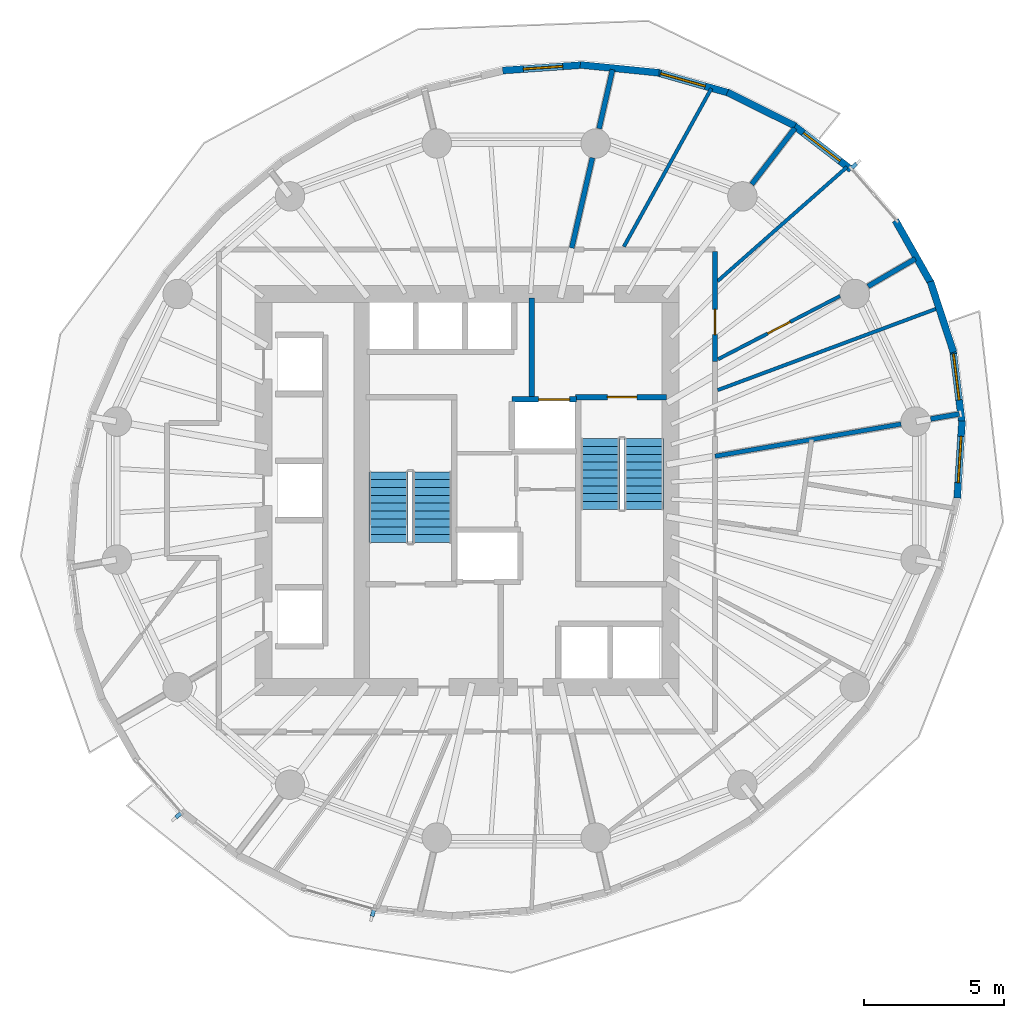
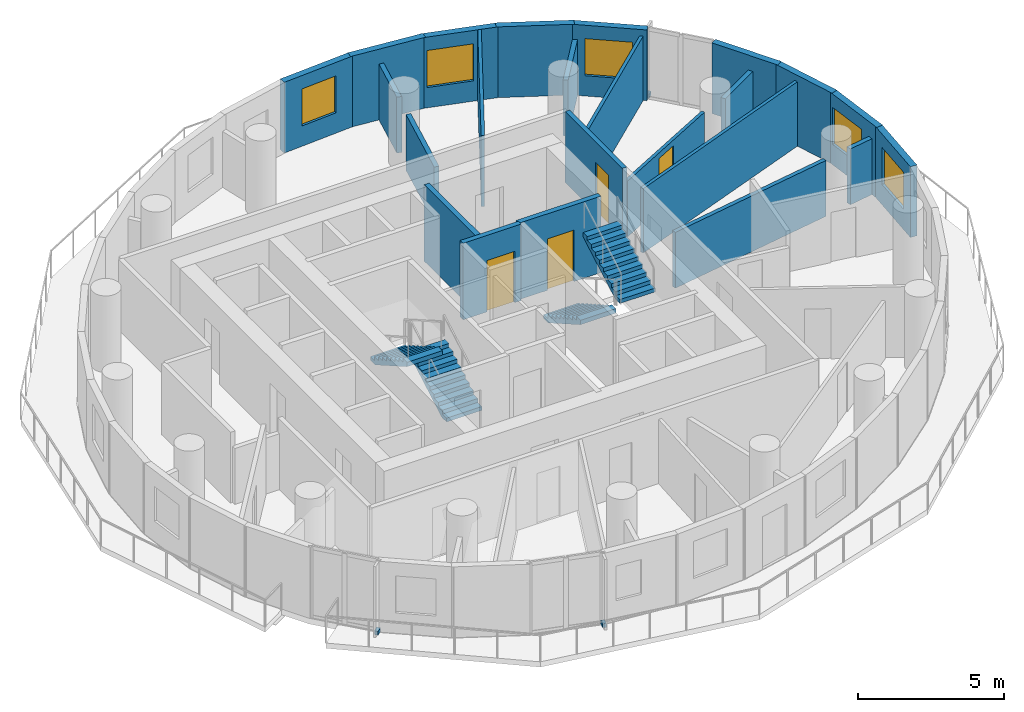
# One storey, part 7 of 12: 23 walls, 5 windows, 4 doors, 4 stair flights, 3 discrete accessories, 9 openings, 2 elements without a shape of their own.
"""IFC4 building model written with IfcOpenShell, lengths in metres."""

from ifc_helpers import new_model, si_unit, direction, frame, frame_2d, origin, origin_2d, place, context, subcontext, project, spatial, polyline, rectangle, outline, extrude, material, layer, layer_set, type_object, element, fill, aggregate, save


model = new_model("IFC4")

# Units and contexts
model_context = context("Model", 3, precision=1e-05, world=origin(), true_north=direction((0.0, 1.0)))
body_context = subcontext(model_context, "Body", "Model", "MODEL_VIEW")
ifc_project = project(units=[si_unit("LENGTHUNIT", "METRE"), si_unit("AREAUNIT", "SQUARE_METRE"), si_unit("VOLUMEUNIT", "CUBIC_METRE"), si_unit("PLANEANGLEUNIT", "RADIAN"), si_unit("MASSUNIT", "GRAM", prefix="KILO")], contexts=[model_context])

# Site, building, storey
site_placement = place(None, origin())
site = spatial("IfcSite", under=ifc_project, at=site_placement, CompositionType="ELEMENT")
building_placement = place(site_placement, origin())
building = spatial("IfcBuilding", under=site, at=building_placement, Name="Veldorim Arch Residences", CompositionType="ELEMENT")
storey_placement = place(building_placement, frame((0.0, 0.0, 145.760009765625)))
storey = spatial("IfcBuildingStorey", under=building, at=storey_placement, Name="L43", CompositionType="ELEMENT", Elevation=145.760009765625)

# Walls
ifc_material_1 = material(Name="Acoustic Gypsum Board", Category="gypsum")
ifc_layer_1 = layer(ifc_material_1, 0.125, Name="Acoustic Stud Room Partition Wall 125")
ifc_layer_set_1 = layer_set([ifc_layer_1], Name="Acoustic Gypsum Board")
wall_type_1 = type_object("IfcWallType", Name="Acoustic Stud Room Partition Wall 125", PredefinedType="PARTITIONING", material=ifc_layer_set_1)
wall_1_placement = place(storey_placement, frame((38.951171875, 38.322509765625, 0.0), z_axis=(0.0, 0.0, 1.0), x_axis=(-0.484039777335, -0.875045995338, 0.0)))
element("IfcWall", 1, at=wall_1_placement, inside=storey, type_object=wall_type_1, Name="L43 interior wall WL-RES-L43-021", PredefinedType="PARTITIONING", context=body_context, shape_type="SweptSolid", body=[
    extrude(rectangle(XDim=6.4423828125, YDim=0.125, at=frame_2d((3.22119140625, 0.0))), origin(), (0.0, 0.0, 1.0), 2.955078125),
])
wall_2_placement = place(storey_placement, frame((43.78271484375, 35.5244140625, 0.0), z_axis=(0.0, 0.0, 1.0), x_axis=(-0.750018545151, -0.661416798947, 0.0)))
element("IfcWall", 2, at=wall_2_placement, inside=storey, type_object=wall_type_1, Name="L43 interior wall WL-RES-L43-023", PredefinedType="PARTITIONING", context=body_context, shape_type="SweptSolid", body=[
    extrude(rectangle(XDim=6.150146484375, YDim=0.125, at=frame_2d((3.0751953125, 0.0))), origin(), (0.0, 0.0, 1.0), 2.69189453125),
])

# Wall, opening, door
wall_3_placement = place(storey_placement, frame((43.531494140625, 30.927001953125, 0.0), z_axis=(0.0, 0.0, 1.0), x_axis=(-0.888041341995, -0.459763607638, 0.0)))
wall_3 = element("IfcWall", 3, at=wall_3_placement, inside=storey, type_object=wall_type_1, Name="L43 interior wall WL-RES-L43-024", PredefinedType="PARTITIONING", context=body_context, shape_type="SweptSolid", body=[
    extrude(rectangle(XDim=4.892822265625, YDim=0.125, at=frame_2d((2.4462890625, 0.0))), origin(), (0.0, 0.0, 1.0), 2.335693359375),
])
opening_1_placement = place(wall_3_placement, frame((1.996337890625, 0.0, 0.0)))
opening_1 = element("IfcOpeningElement", 4, at=opening_1_placement, cuts=wall_3, Name="Opening DR-INT", PredefinedType="OPENING", context=body_context, shape_type="SweptSolid", body=[
    extrude(rectangle(XDim=0.89990234375, YDim=2.10009765625, at=frame_2d((0.449951171875, 1.050048828125))), frame((0.0, 0.072509765625, 0.0), z_axis=(0.0, -1.0, 0.0), x_axis=(1.0, 0.0, 0.0)), (0.0, 0.0, 1.0), 0.14501953125),
])
ifc_material_2 = material(Name="Engineered Timber", Category="wood")
door_type_1 = type_object("IfcDoorType", Name="Apartment Internal Room Timber Door 900x2100", OperationType="SINGLE_SWING_LEFT", PredefinedType="DOOR", material=ifc_material_2)
door_1_placement = place(opening_1_placement, origin())
door_1 = element("IfcDoor", 5, at=door_1_placement, inside=storey, type_object=door_type_1, Name="L43 interior door DR-RES-L43-014", OperationType="SINGLE_SWING_RIGHT", OverallHeight=2.10009765625, OverallWidth=0.89990234375, PredefinedType="DOOR", context=body_context, shape_type="SweptSolid", body=[
    extrude(rectangle(XDim=0.89990234375, YDim=2.10009765625, at=frame_2d((0.449951171875, 1.050048828125))), frame((0.0, 0.02490234375, 0.0), z_axis=(0.0, -1.0, 0.0), x_axis=(1.0, 0.0, 0.0)), (0.0, 0.0, 1.0), 0.050048828125),
])
fill(opening_1, door_1)

# Walls
wall_4_placement = place(storey_placement, frame((39.173583984375, 27.57666015625, 0.0), z_axis=(0.0, 0.0, 1.0), x_axis=(0.9372070401, 0.348773513883, 0.0)))
element("IfcWall", 6, at=wall_4_placement, inside=storey, type_object=wall_type_1, Name="L43 interior wall WL-RES-L43-025", PredefinedType="PARTITIONING", context=body_context, shape_type="SweptSolid", body=[
    extrude(rectangle(XDim=8.39501953125, YDim=0.125, at=frame_2d((4.197509765625, 0.0))), origin(), (0.0, 0.0, 1.0), 2.69189453125),
])
ifc_material_3 = material(Name="Lightweight Masonry Block & Gypsum", Category="masonry")
ifc_layer_2 = layer(ifc_material_3, 0.179931640625, Name="Compartment & Corridor Fire-Rated Party Wall 180")
ifc_layer_set_2 = layer_set([ifc_layer_2], Name="Lightweight Masonry Block & Gypsum")
wall_type_2 = type_object("IfcWallType", Name="Compartment & Corridor Fire-Rated Party Wall 180", PredefinedType="PARTITIONING", material=ifc_layer_set_2)
wall_5_placement = place(storey_placement, frame((46.75830078125, 26.55078125, 0.0), z_axis=(0.0, 0.0, 1.0), x_axis=(0.985390767806, 0.170308645474, 0.0)))
element("IfcWall", 7, at=wall_5_placement, inside=storey, type_object=wall_type_2, Name="L43 interior wall WL-PIER-L43-01", PredefinedType="PARTITIONING", context=body_context, shape_type="SweptSolid", body=[
    extrude(rectangle(XDim=1.037841796875, YDim=0.179931640625, at=frame_2d((0.51904296875, 0.0))), origin(), (0.0, 0.0, 1.0), 2.335693359375),
])
wall_6_placement = place(storey_placement, frame((44.527587890625, 31.27392578125, 0.0), z_axis=(0.0, 0.0, 1.0), x_axis=(0.864802971131, 0.502111363268, 0.0)))
element("IfcWall", 8, at=wall_6_placement, inside=storey, type_object=wall_type_2, Name="L43 interior wall WL-PIER-L43-02", PredefinedType="PARTITIONING", context=body_context, shape_type="SweptSolid", body=[
    extrude(rectangle(XDim=1.95068359375, YDim=0.179931640625, at=frame_2d((0.975341796875, 0.0))), origin(), (0.0, 0.0, 1.0), 2.335693359375),
])
wall_7_placement = place(storey_placement, frame((40.387939453125, 34.908447265625, 0.0), z_axis=(0.0, 0.0, 1.0), x_axis=(0.609556175004, 0.792742877303, 0.0)))
element("IfcWall", 9, at=wall_7_placement, inside=storey, type_object=wall_type_2, Name="L43 interior wall WL-PIER-L43-03", PredefinedType="PARTITIONING", context=body_context, shape_type="SweptSolid", body=[
    extrude(rectangle(XDim=2.518798828125, YDim=0.179931640625, at=frame_2d((1.25927734375, 0.0))), origin(), (0.0, 0.0, 1.0), 2.335693359375),
])
wall_8_placement = place(storey_placement, frame((34.950439453125, 36.88916015625, 0.0), z_axis=(0.0, 0.0, 1.0), x_axis=(0.223080127706, 0.974800111111, 0.0)))
element("IfcWall", 10, at=wall_8_placement, inside=storey, type_object=wall_type_2, Name="L43 interior wall WL-PIER-L43-04", PredefinedType="PARTITIONING", context=body_context, shape_type="SweptSolid", body=[
    extrude(rectangle(XDim=2.15478515625, YDim=0.179931640625, at=frame_2d((1.077392578125, 0.0))), origin(), (0.0, 0.0, 1.0), 2.335693359375),
])

# Wall, opening, door
wall_9_placement = place(storey_placement, frame((39.080078125, 32.52001953125, 0.0), z_axis=(0.0, 0.0, 1.0), x_axis=(0.0, -1.0, 0.0)))
wall_9 = element("IfcWall", 11, at=wall_9_placement, inside=storey, type_object=wall_type_2, Name="L43 interior wall WL-RES-L43-005", PredefinedType="PARTITIONING", context=body_context, shape_type="SweptSolid", body=[
    extrude(rectangle(XDim=3.917724609375, YDim=0.179931640625, at=frame_2d((1.958984375, 0.0))), origin(), (0.0, 0.0, 1.0), 2.955078125),
])
opening_2_placement = place(wall_9_placement, frame((2.06689453125, 0.0, 0.0)))
opening_2 = element("IfcOpeningElement", 12, at=opening_2_placement, cuts=wall_9, Name="Opening DR-SVC", PredefinedType="OPENING", context=body_context, shape_type="SweptSolid", body=[
    extrude(rectangle(XDim=0.89990234375, YDim=2.10009765625, at=frame_2d((0.449951171875, 1.050048828125))), frame((0.0, 0.099853515625, 0.0), z_axis=(0.0, -1.0, 0.0), x_axis=(1.0, 0.0, 0.0)), (0.0, 0.0, 1.0), 0.199951171875),
])
ifc_material_4 = material(Name="Fire-Rated Steel", Category="steel")
door_type_2 = type_object("IfcDoorType", Name="Riser, Shelter & Plant Room Rated Steel Door 900x2100", OperationType="SINGLE_SWING_LEFT", PredefinedType="DOOR", material=ifc_material_4)
door_2_placement = place(opening_2_placement, origin())
door_2 = element("IfcDoor", 13, at=door_2_placement, inside=storey, type_object=door_type_2, Name="L43 interior door DR-RES-L43-012", OperationType="SINGLE_SWING_RIGHT", OverallHeight=2.10009765625, OverallWidth=0.89990234375, PredefinedType="DOOR", context=body_context, shape_type="SweptSolid", body=[
    extrude(rectangle(XDim=0.89990234375, YDim=2.10009765625, at=frame_2d((0.449951171875, 1.050048828125))), frame((0.0, 0.02490234375, 0.0), z_axis=(0.0, -1.0, 0.0), x_axis=(1.0, 0.0, 0.0)), (0.0, 0.0, 1.0), 0.050048828125),
])
fill(opening_2, door_2)

# Wall
wall_10_placement = place(storey_placement, frame((33.977294921875, 32.638427734375, 0.0), z_axis=(0.0, 0.0, 1.0), x_axis=(0.22319287001, 0.974774303506, 0.0)))
element("IfcWall", 14, at=wall_10_placement, inside=storey, type_object=wall_type_2, Name="L43 interior wall WL-RES-L43-022", PredefinedType="PARTITIONING", context=body_context, shape_type="SweptSolid", body=[
    extrude(rectangle(XDim=3.2958984375, YDim=0.179931640625, at=frame_2d((1.64794921875, 0.0))), origin(), (0.0, 0.0, 1.0), 2.335693359375),
])

# Wall, opening, door
ifc_material_5 = material(Name="Concrete C50/60", Category="concrete")
ifc_layer_3 = layer(ifc_material_5, 0.199951171875, Name="Core Stair & Lift Shaft Enclosure Wall 200")
ifc_layer_set_3 = layer_set([ifc_layer_3], Name="Concrete C50/60")
wall_type_3 = type_object("IfcWallType", Name="Core Stair & Lift Shaft Enclosure Wall 200", PredefinedType="SHEAR", material=ifc_layer_set_3)
wall_11_placement = place(storey_placement, frame((34.110107421875, 27.330078125, 0.0), z_axis=(0.0, 0.0, 1.0), x_axis=(1.0, 0.0, 0.0)))
wall_11 = element("IfcWall", 15, at=wall_11_placement, inside=storey, type_object=wall_type_3, Name="L43 shaft wall WL-SHF-L43-ST2-N", PredefinedType="SHEAR", context=body_context, shape_type="SweptSolid", body=[
    extrude(rectangle(XDim=3.239990234375, YDim=0.199951171875, at=frame_2d((1.6201171875, 0.0))), origin(), (0.0, 0.0, 1.0), 3.199951171875),
])
opening_3_placement = place(wall_11_placement, frame((1.135009765625, 0.0, 0.0)))
opening_3 = element("IfcOpeningElement", 16, at=opening_3_placement, cuts=wall_11, Name="Opening DR-ST", PredefinedType="OPENING", context=body_context, shape_type="SweptSolid", body=[
    extrude(rectangle(XDim=1.050048828125, YDim=2.14990234375, at=frame_2d((0.52490234375, 1.074951171875))), frame((0.0, 0.10986328125, 0.0), z_axis=(0.0, -1.0, 0.0), x_axis=(1.0, 0.0, 0.0)), (0.0, 0.0, 1.0), 0.219970703125),
])
ifc_material_6 = material(Name="Fire-Rated Steel", Category="steel")
door_type_3 = type_object("IfcDoorType", Name="Exit Staircase Self-Closing Fire Door 1050x2150", OperationType="SINGLE_SWING_LEFT", PredefinedType="DOOR", material=ifc_material_6)
door_3_placement = place(opening_3_placement, origin())
door_3 = element("IfcDoor", 17, at=door_3_placement, inside=storey, type_object=door_type_3, Name="L43 interior door DR-L43-ST2", OperationType="SINGLE_SWING_RIGHT", OverallHeight=2.14990234375, OverallWidth=1.050048828125, PredefinedType="DOOR", context=body_context, shape_type="SweptSolid", body=[
    extrude(rectangle(XDim=1.050048828125, YDim=2.14990234375, at=frame_2d((0.52490234375, 1.074951171875))), frame((0.0, 0.02490234375, 0.0), z_axis=(0.0, -1.0, 0.0), x_axis=(1.0, 0.0, 0.0)), (0.0, 0.0, 1.0), 0.050048828125),
])
fill(opening_3, door_3)

# Wall
wall_12_placement = place(storey_placement, frame((32.550048828125, 27.35009765625, 0.0), z_axis=(0.0, 0.0, 1.0), x_axis=(0.0, 1.0, 0.0)))
element("IfcWall", 18, at=wall_12_placement, inside=storey, type_object=wall_type_3, Name="L43 shaft wall WL-FFL2-L43-W", PredefinedType="SHEAR", context=body_context, shape_type="SweptSolid", body=[
    extrude(rectangle(XDim=3.5, YDim=0.199951171875, at=frame_2d((1.75, 0.0))), origin(), (0.0, 0.0, 1.0), 3.199951171875),
])

# Wall, opening, door
wall_13_placement = place(storey_placement, frame((31.85009765625, 27.25, 0.0), z_axis=(0.0, 0.0, 1.0), x_axis=(1.0, 0.0, 0.0)))
wall_13 = element("IfcWall", 19, at=wall_13_placement, inside=storey, type_object=wall_type_3, Name="L43 shaft wall WL-FL02-L43-N", PredefinedType="SHEAR", context=body_context, shape_type="SweptSolid", body=[
    extrude(rectangle(XDim=2.2998046875, YDim=0.199951171875, at=frame_2d((1.14990234375, 0.0))), origin(), (0.0, 0.0, 1.0), 3.199951171875),
])
opening_4_placement = place(wall_13_placement, frame((0.949951171875, 0.0, 0.0)))
opening_4 = element("IfcOpeningElement", 20, at=opening_4_placement, cuts=wall_13, Name="Opening LD-FF", PredefinedType="OPENING", context=body_context, shape_type="SweptSolid", body=[
    extrude(rectangle(XDim=1.10009765625, YDim=2.14990234375, at=frame_2d((0.550048828125, 1.074951171875))), frame((0.0, 0.10986328125, 0.0), z_axis=(0.0, -1.0, 0.0), x_axis=(1.0, 0.0, 0.0)), (0.0, 0.0, 1.0), 0.219970703125),
])
ifc_material_7 = material(Name="Stainless Steel", Category="steel")
door_type_4 = type_object("IfcDoorType", Name="Firefighting Lift Bi-Parting Sliding Landing Door 1100x2150", OperationType="DOUBLE_DOOR_SLIDING", PredefinedType="DOOR", material=ifc_material_7)
door_4_placement = place(opening_4_placement, origin())
door_4 = element("IfcDoor", 21, at=door_4_placement, inside=storey, type_object=door_type_4, Name="L43 lift landing door LD-L43-FL02", OperationType="DOUBLE_DOOR_SLIDING", OverallHeight=2.14990234375, OverallWidth=1.10009765625, PredefinedType="DOOR", context=body_context, shape_type="SweptSolid", body=[
    extrude(rectangle(XDim=1.10009765625, YDim=2.14990234375, at=frame_2d((0.550048828125, 1.074951171875))), frame((0.0, 0.02490234375, 0.0), z_axis=(0.0, -1.0, 0.0), x_axis=(1.0, 0.0, 0.0)), (0.0, 0.0, 1.0), 0.050048828125),
])
fill(opening_4, door_4)

# Wall, opening, window
ifc_material_8 = material(Name="Precast concrete C40/50", Category="concrete")
ifc_layer_4 = layer(ifc_material_8, 0.25, Name="Tower Terracotta Spandrel & Pier Wall 250")
ifc_layer_set_4 = layer_set([ifc_layer_4], Name="Precast concrete C40/50")
wall_type_4 = type_object("IfcWallType", Name="Tower Terracotta Spandrel & Pier Wall 250", PredefinedType="SOLIDWALL", material=ifc_layer_set_4)
wall_14_placement = place(storey_placement, frame((41.83056640625, 37.046142578125, 0.0), z_axis=(0.0, 0.0, 1.0), x_axis=(0.7923805969, -0.610027040103, 0.0)))
wall_14 = element("IfcWall", 22, at=wall_14_placement, inside=storey, type_object=wall_type_4, Name="L43 terracotta facade wall 02", PredefinedType="SOLIDWALL", context=body_context, shape_type="SweptSolid", body=[
    extrude(rectangle(XDim=2.648193359375, YDim=0.25, at=frame_2d((1.32421875, 0.0))), origin(), (0.0, 0.0, 1.0), 2.9599609375),
])
opening_5_placement = place(wall_14_placement, frame((0.4990234375, 0.0, 0.85009765625)))
opening_5 = element("IfcOpeningElement", 23, at=opening_5_placement, cuts=wall_14, Name="Opening WN-03", PredefinedType="OPENING", context=body_context, shape_type="SweptSolid", body=[
    extrude(rectangle(XDim=1.64990234375, YDim=1.550048828125, at=frame_2d((0.824951171875, 0.77490234375))), frame((0.0, 0.135009765625, 0.0), z_axis=(0.0, -1.0, 0.0), x_axis=(1.0, 0.0, 0.0)), (0.0, 0.0, 1.0), 0.27001953125),
])
ifc_material_9 = material(Name="Laminated Low-E Glass", Category="glass")
window_type_1 = type_object("IfcWindowType", Name="Residential Wide Window 1650x1550", PartitioningType="SINGLE_PANEL", PredefinedType="WINDOW", material=ifc_material_9)
window_1_placement = place(opening_5_placement, origin())
window_1 = element("IfcWindow", 24, at=window_1_placement, inside=storey, type_object=window_type_1, Name="L43 solar-control facade window 02", OverallHeight=1.550048828125, OverallWidth=1.64990234375, PartitioningType="SINGLE_PANEL", PredefinedType="WINDOW", context=body_context, shape_type="SweptSolid", body=[
    extrude(rectangle(XDim=1.64990234375, YDim=1.550048828125, at=frame_2d((0.824951171875, 0.77490234375))), frame((0.0, 0.030029296875, 0.0), z_axis=(0.0, -1.0, 0.0), x_axis=(1.0, 0.0, 0.0)), (0.0, 0.0, 1.0), 0.06005859375),
])
fill(opening_5, window_1)

# Wall
wall_15_placement = place(storey_placement, frame((39.51708984375, 38.18798828125, 0.0), z_axis=(0.0, 0.0, 1.0), x_axis=(0.894843809708, -0.446379385979, 0.0)))
element("IfcWall", 25, at=wall_15_placement, inside=storey, type_object=wall_type_4, Name="L43 terracotta facade wall 03", PredefinedType="SOLIDWALL", context=body_context, shape_type="SweptSolid", body=[
    extrude(rectangle(XDim=2.693115234375, YDim=0.25, at=frame_2d((1.3466796875, 0.0))), origin(), (0.0, 0.0, 1.0), 2.9599609375),
])

# Wall, opening, window
wall_16_placement = place(storey_placement, frame((36.97509765625, 38.900146484375, 0.0), z_axis=(0.0, 0.0, 1.0), x_axis=(0.961851311091, -0.27357276062, 0.0)))
wall_16 = element("IfcWall", 26, at=wall_16_placement, inside=storey, type_object=wall_type_4, Name="L43 terracotta facade wall 04", PredefinedType="SOLIDWALL", context=body_context, shape_type="SweptSolid", body=[
    extrude(rectangle(XDim=2.752197265625, YDim=0.25, at=frame_2d((1.3759765625, 0.0))), origin(), (0.0, 0.0, 1.0), 2.9599609375),
])
opening_6_placement = place(wall_16_placement, frame((0.175048828125, 0.0, 0.85009765625)))
opening_6 = element("IfcOpeningElement", 27, at=opening_6_placement, cuts=wall_16, Name="Opening WN-03", PredefinedType="OPENING", context=body_context, shape_type="SweptSolid", body=[
    extrude(rectangle(XDim=1.64990234375, YDim=1.550048828125, at=frame_2d((0.824951171875, 0.77490234375))), frame((0.0, 0.135009765625, 0.0), z_axis=(0.0, -1.0, 0.0), x_axis=(1.0, 0.0, 0.0)), (0.0, 0.0, 1.0), 0.27001953125),
])
window_2_placement = place(opening_6_placement, origin())
window_2 = element("IfcWindow", 28, at=window_2_placement, inside=storey, type_object=window_type_1, Name="L43 solar-control facade window 04", OverallHeight=1.550048828125, OverallWidth=1.64990234375, PartitioningType="SINGLE_PANEL", PredefinedType="WINDOW", context=body_context, shape_type="SweptSolid", body=[
    extrude(rectangle(XDim=1.64990234375, YDim=1.550048828125, at=frame_2d((0.824951171875, 0.77490234375))), frame((0.0, 0.030029296875, 0.0), z_axis=(0.0, -1.0, 0.0), x_axis=(1.0, 0.0, 0.0)), (0.0, 0.0, 1.0), 0.06005859375),
])
fill(opening_6, window_2)

# Wall
wall_17_placement = place(storey_placement, frame((34.281494140625, 39.16015625, 0.0), z_axis=(0.0, 0.0, 1.0), x_axis=(0.995013999105, -0.099735357744, 0.0)))
element("IfcWall", 29, at=wall_17_placement, inside=storey, type_object=wall_type_4, Name="L43 terracotta facade wall 05", PredefinedType="SOLIDWALL", context=body_context, shape_type="SweptSolid", body=[
    extrude(rectangle(XDim=2.817626953125, YDim=0.25, at=frame_2d((1.40869140625, 0.0))), origin(), (0.0, 0.0, 1.0), 2.9599609375),
])

# Wall, opening, window
wall_18_placement = place(storey_placement, frame((31.517333984375, 38.960205078125, 0.0), z_axis=(0.0, 0.0, 1.0), x_axis=(0.997630729469, 0.068796276206, 0.0)))
wall_18 = element("IfcWall", 30, at=wall_18_placement, inside=storey, type_object=wall_type_4, Name="L43 terracotta facade wall 06", PredefinedType="SOLIDWALL", context=body_context, shape_type="SweptSolid", body=[
    extrude(rectangle(XDim=2.881591796875, YDim=0.25, at=frame_2d((1.44091796875, 0.0))), origin(), (0.0, 0.0, 1.0), 2.9599609375),
])
opening_7_placement = place(wall_18_placement, frame((0.740966796875, 0.0, 0.85009765625)))
opening_7 = element("IfcOpeningElement", 31, at=opening_7_placement, cuts=wall_18, Name="Opening WN-02", PredefinedType="OPENING", context=body_context, shape_type="SweptSolid", body=[
    extrude(rectangle(XDim=1.39990234375, YDim=1.550048828125, at=frame_2d((0.699951171875, 0.77490234375))), frame((0.0, 0.135009765625, 0.0), z_axis=(0.0, -1.0, 0.0), x_axis=(1.0, 0.0, 0.0)), (0.0, 0.0, 1.0), 0.27001953125),
])
ifc_material_10 = material(Name="Laminated Low-E Glass", Category="glass")
window_type_2 = type_object("IfcWindowType", Name="Residential Casement Window 1400x1550", PartitioningType="SINGLE_PANEL", PredefinedType="WINDOW", material=ifc_material_10)
window_3_placement = place(opening_7_placement, origin())
window_3 = element("IfcWindow", 32, at=window_3_placement, inside=storey, type_object=window_type_2, Name="L43 solar-control facade window 06", OverallHeight=1.550048828125, OverallWidth=1.39990234375, PartitioningType="SINGLE_PANEL", PredefinedType="WINDOW", context=body_context, shape_type="SweptSolid", body=[
    extrude(rectangle(XDim=1.39990234375, YDim=1.550048828125, at=frame_2d((0.699951171875, 0.77490234375))), frame((0.0, 0.030029296875, 0.0), z_axis=(0.0, -1.0, 0.0), x_axis=(1.0, 0.0, 0.0)), (0.0, 0.0, 1.0), 0.06005859375),
])
fill(opening_7, window_3)

wall_19_placement = place(storey_placement, frame((47.877685546875, 26.479248046875, 0.0), z_axis=(0.0, 0.0, 1.0), x_axis=(-0.062278868317, -0.998058787127, 0.0)))
wall_19 = element("IfcWall", 33, at=wall_19_placement, inside=storey, type_object=wall_type_4, Name="L43 terracotta facade wall 33", PredefinedType="SOLIDWALL", context=body_context, shape_type="SweptSolid", body=[
    extrude(rectangle(XDim=2.751953125, YDim=0.25, at=frame_2d((1.3759765625, 0.0))), origin(), (0.0, 0.0, 1.0), 2.9599609375),
])
opening_8_placement = place(wall_19_placement, frame((0.551025390625, 0.0, 0.85009765625)))
opening_8 = element("IfcOpeningElement", 34, at=opening_8_placement, cuts=wall_19, Name="Opening WN-03", PredefinedType="OPENING", context=body_context, shape_type="SweptSolid", body=[
    extrude(rectangle(XDim=1.64990234375, YDim=1.550048828125, at=frame_2d((0.824951171875, 0.77490234375))), frame((0.0, 0.135009765625, 0.0), z_axis=(0.0, -1.0, 0.0), x_axis=(1.0, 0.0, 0.0)), (0.0, 0.0, 1.0), 0.27001953125),
])
window_4_placement = place(opening_8_placement, origin())
window_4 = element("IfcWindow", 35, at=window_4_placement, inside=storey, type_object=window_type_1, Name="L43 solar-control facade window 33", OverallHeight=1.550048828125, OverallWidth=1.64990234375, PartitioningType="SINGLE_PANEL", PredefinedType="WINDOW", context=body_context, shape_type="SweptSolid", body=[
    extrude(rectangle(XDim=1.64990234375, YDim=1.550048828125, at=frame_2d((0.824951171875, 0.77490234375))), frame((0.0, 0.030029296875, 0.0), z_axis=(0.0, -1.0, 0.0), x_axis=(1.0, 0.0, 0.0)), (0.0, 0.0, 1.0), 0.06005859375),
])
fill(opening_8, window_4)

wall_20_placement = place(storey_placement, frame((47.54931640625, 29.0390625, 0.0), z_axis=(0.0, 0.0, 1.0), x_axis=(0.123197890413, -0.992382123881, 0.0)))
wall_20 = element("IfcWall", 36, at=wall_20_placement, inside=storey, type_object=wall_type_4, Name="L43 terracotta facade wall 34", PredefinedType="SOLIDWALL", context=body_context, shape_type="SweptSolid", body=[
    extrude(rectangle(XDim=2.693115234375, YDim=0.25, at=frame_2d((1.3466796875, 0.0))), origin(), (0.0, 0.0, 1.0), 2.9599609375),
])
opening_9_placement = place(wall_20_placement, frame((0.175048828125, 0.0, 0.85009765625)))
opening_9 = element("IfcOpeningElement", 37, at=opening_9_placement, cuts=wall_20, Name="Opening WN-03", PredefinedType="OPENING", context=body_context, shape_type="SweptSolid", body=[
    extrude(rectangle(XDim=1.64990234375, YDim=1.550048828125, at=frame_2d((0.824951171875, 0.77490234375))), frame((0.0, 0.135009765625, 0.0), z_axis=(0.0, -1.0, 0.0), x_axis=(1.0, 0.0, 0.0)), (0.0, 0.0, 1.0), 0.27001953125),
])
window_5_placement = place(opening_9_placement, origin())
window_5 = element("IfcWindow", 38, at=window_5_placement, inside=storey, type_object=window_type_1, Name="L43 solar-control facade window 34", OverallHeight=1.550048828125, OverallWidth=1.64990234375, PartitioningType="SINGLE_PANEL", PredefinedType="WINDOW", context=body_context, shape_type="SweptSolid", body=[
    extrude(rectangle(XDim=1.64990234375, YDim=1.550048828125, at=frame_2d((0.824951171875, 0.77490234375))), frame((0.0, 0.030029296875, 0.0), z_axis=(0.0, -1.0, 0.0), x_axis=(1.0, 0.0, 0.0)), (0.0, 0.0, 1.0), 0.06005859375),
])
fill(opening_9, window_5)

# Walls
wall_21_placement = place(storey_placement, frame((46.749267578125, 31.4443359375, 0.0), z_axis=(0.0, 0.0, 1.0), x_axis=(0.311522010952, -0.950238936633, 0.0)))
element("IfcWall", 39, at=wall_21_placement, inside=storey, type_object=wall_type_4, Name="L43 terracotta facade wall 35", PredefinedType="SOLIDWALL", context=body_context, shape_type="SweptSolid", body=[
    extrude(rectangle(XDim=2.648193359375, YDim=0.25, at=frame_2d((1.32421875, 0.0))), origin(), (0.0, 0.0, 1.0), 2.9599609375),
])
wall_22_placement = place(storey_placement, frame((45.501953125, 33.623046875, 0.0), z_axis=(0.0, 0.0, 1.0), x_axis=(0.492909281161, -0.870080709214, 0.0)))
element("IfcWall", 40, at=wall_22_placement, inside=storey, type_object=wall_type_4, Name="L43 terracotta facade wall 36", PredefinedType="SOLIDWALL", context=body_context, shape_type="SweptSolid", body=[
    extrude(rectangle(XDim=2.6240234375, YDim=0.25, at=frame_2d((1.31201171875, 0.0))), origin(), (0.0, 0.0, 1.0), 2.9599609375),
])
ifc_material_11 = material(Name="Moisture-Resistant Gypsum & Stud", Category="gypsum")
ifc_layer_5 = layer(ifc_material_11, 0.159912109375, Name="Wet-Area Moisture-Resistant Plumbing Wall 160")
ifc_layer_set_5 = layer_set([ifc_layer_5], Name="Moisture-Resistant Gypsum & Stud")
wall_type_5 = type_object("IfcWallType", Name="Wet-Area Moisture-Resistant Plumbing Wall 160", PredefinedType="PLUMBINGWALL", material=ifc_layer_set_5)
wall_23_placement = place(storey_placement, frame((39.080078125, 25.2236328125, 0.0), z_axis=(0.0, 0.0, 1.0), x_axis=(0.985384524795, 0.17034476304, 0.0)))
element("IfcWall", 41, at=wall_23_placement, inside=storey, type_object=wall_type_5, Name="L43 interior wall WL-RES-L43-019", PredefinedType="PLUMBINGWALL", context=body_context, shape_type="SweptSolid", body=[
    extrude(rectangle(XDim=6.7216796875, YDim=0.159912109375, at=frame_2d((3.36083984375, 0.0))), origin(), (0.0, 0.0, 1.0), 2.335693359375),
])

# Stair, stair flights
ifc_material_12 = material(Name="Concrete C40/50", Category="concrete")
stair_type = type_object("IfcStairType", Name="Reinforced Concrete Dogleg Exit Staircase", PredefinedType="HALF_TURN_STAIR", material=ifc_material_12)
stair_1_placement = place(storey_placement, origin())
stair_1 = element("IfcStair", 42, at=stair_1_placement, inside=storey, type_object=stair_type, Name="L43 Exit Staircase ST-1", PredefinedType="HALF_TURN_STAIR")
ifc_material_13 = material(Name="Concrete C40/50", Category="concrete")
stair_flight_type = type_object("IfcStairFlightType", Name="Reinforced Concrete Stair Flight 1400", PredefinedType="STRAIGHT", material=ifc_material_13)
stair_flight_1_placement = place(storey_placement, frame((29.010009765625, 22.14990234375, 0.0), z_axis=(0.0, 0.0, 1.0), x_axis=(0.0, 1.0, 0.0)))
stair_flight_1 = element("IfcStairFlight", 43, at=stair_flight_1_placement, type_object=stair_flight_type, Name="ST-1 flight 1", NumberOfRisers=10, NumberOfTreads=9, PredefinedType="STRAIGHT", RiserHeight=0.16, TreadLength=0.28, context=body_context, shape_type="SweptSolid", body=[
    extrude(outline(polyline([(0.0, 0.0), (0.0, 0.159912109375), (0.280029296875, 0.159912109375), (0.280029296875, 0.320068359375), (0.56005859375, 0.320068359375), (0.56005859375, 0.47998046875), (0.840087890625, 0.47998046875), (0.840087890625, 0.639892578125), (1.1201171875, 0.639892578125), (1.1201171875, 0.800048828125), (1.39990234375, 0.800048828125), (1.39990234375, 0.9599609375), (1.679931640625, 0.9599609375), (1.679931640625, 1.1201171875), (1.9599609375, 1.1201171875), (1.9599609375, 1.280029296875), (2.239990234375, 1.280029296875), (2.239990234375, 1.43994140625), (2.52001953125, 1.43994140625), (2.52001953125, 1.60009765625), (2.52001953125, 1.255859375), (0.322265625, 0.0), (0.0, 0.0)])), frame((0.0, 0.699951171875, 0.0), z_axis=(0.0, -1.0, 0.0), x_axis=(1.0, 0.0, 0.0)), (0.0, 0.0, 1.0), 1.39990234375),
])
stair_flight_2_placement = place(storey_placement, frame((27.449951171875, 24.669921875, 1.60009765625), z_axis=(0.0, 0.0, 1.0), x_axis=(0.0, -1.0, 0.0)))
stair_flight_2 = element("IfcStairFlight", 44, at=stair_flight_2_placement, type_object=stair_flight_type, Name="ST-1 flight 2", NumberOfRisers=10, NumberOfTreads=9, PredefinedType="STRAIGHT", RiserHeight=0.16, TreadLength=0.28, context=body_context, shape_type="SweptSolid", body=[
    extrude(outline(polyline([(0.0, 0.0), (0.0, 0.159912109375), (0.280029296875, 0.159912109375), (0.280029296875, 0.320068359375), (0.56005859375, 0.320068359375), (0.56005859375, 0.47998046875), (0.840087890625, 0.47998046875), (0.840087890625, 0.639892578125), (1.1201171875, 0.639892578125), (1.1201171875, 0.800048828125), (1.39990234375, 0.800048828125), (1.39990234375, 0.9599609375), (1.679931640625, 0.9599609375), (1.679931640625, 1.1201171875), (1.9599609375, 1.1201171875), (1.9599609375, 1.280029296875), (2.239990234375, 1.280029296875), (2.239990234375, 1.43994140625), (2.52001953125, 1.43994140625), (2.52001953125, 1.60009765625), (2.52001953125, 1.255859375), (0.322265625, 0.0), (0.0, 0.0)])), frame((0.0, 0.699951171875, 0.0), z_axis=(0.0, -1.0, 0.0), x_axis=(1.0, 0.0, 0.0)), (0.0, 0.0, 1.0), 1.39990234375),
])
aggregate(stair_1, [stair_flight_1, stair_flight_2])

stair_2_placement = place(storey_placement, origin())
stair_2 = element("IfcStair", 45, at=stair_2_placement, inside=storey, type_object=stair_type, Name="L43 Exit Staircase ST-2", PredefinedType="HALF_TURN_STAIR")
stair_flight_3_placement = place(storey_placement, frame((34.989990234375, 25.85009765625, 0.0), z_axis=(0.0, 0.0, 1.0), x_axis=(0.0, -1.0, 0.0)))
stair_flight_3 = element("IfcStairFlight", 46, at=stair_flight_3_placement, type_object=stair_flight_type, Name="ST-2 flight 1", NumberOfRisers=10, NumberOfTreads=9, PredefinedType="STRAIGHT", RiserHeight=0.16, TreadLength=0.28, context=body_context, shape_type="SweptSolid", body=[
    extrude(outline(polyline([(0.0, 0.0), (0.0, 0.159912109375), (0.280029296875, 0.159912109375), (0.280029296875, 0.320068359375), (0.56005859375, 0.320068359375), (0.56005859375, 0.47998046875), (0.840087890625, 0.47998046875), (0.840087890625, 0.639892578125), (1.1201171875, 0.639892578125), (1.1201171875, 0.800048828125), (1.39990234375, 0.800048828125), (1.39990234375, 0.9599609375), (1.679931640625, 0.9599609375), (1.679931640625, 1.1201171875), (1.9599609375, 1.1201171875), (1.9599609375, 1.280029296875), (2.239990234375, 1.280029296875), (2.239990234375, 1.43994140625), (2.52001953125, 1.43994140625), (2.52001953125, 1.60009765625), (2.52001953125, 1.255859375), (0.322265625, 0.0), (0.0, 0.0)])), frame((0.0, 0.699951171875, 0.0), z_axis=(0.0, -1.0, 0.0), x_axis=(1.0, 0.0, 0.0)), (0.0, 0.0, 1.0), 1.39990234375),
])
stair_flight_4_placement = place(storey_placement, frame((36.550048828125, 23.330078125, 1.60009765625), z_axis=(0.0, 0.0, 1.0), x_axis=(0.0, 1.0, 0.0)))
stair_flight_4 = element("IfcStairFlight", 47, at=stair_flight_4_placement, type_object=stair_flight_type, Name="ST-2 flight 2", NumberOfRisers=10, NumberOfTreads=9, PredefinedType="STRAIGHT", RiserHeight=0.16, TreadLength=0.28, context=body_context, shape_type="SweptSolid", body=[
    extrude(outline(polyline([(0.0, 0.0), (0.0, 0.159912109375), (0.280029296875, 0.159912109375), (0.280029296875, 0.320068359375), (0.56005859375, 0.320068359375), (0.56005859375, 0.47998046875), (0.840087890625, 0.47998046875), (0.840087890625, 0.639892578125), (1.1201171875, 0.639892578125), (1.1201171875, 0.800048828125), (1.39990234375, 0.800048828125), (1.39990234375, 0.9599609375), (1.679931640625, 0.9599609375), (1.679931640625, 1.1201171875), (1.9599609375, 1.1201171875), (1.9599609375, 1.280029296875), (2.239990234375, 1.280029296875), (2.239990234375, 1.43994140625), (2.52001953125, 1.43994140625), (2.52001953125, 1.60009765625), (2.52001953125, 1.255859375), (0.322265625, 0.0), (0.0, 0.0)])), frame((0.0, 0.699951171875, 0.0), z_axis=(0.0, -1.0, 0.0), x_axis=(1.0, 0.0, 0.0)), (0.0, 0.0, 1.0), 1.39990234375),
])
aggregate(stair_2, [stair_flight_3, stair_flight_4])

# Discrete accessories
ifc_material_14 = material(Name="Stainless Steel", Category="steel")
discrete_accessory_type = type_object("IfcDiscreteAccessoryType", Name="Stainless Steel Facade Fin Anchor Bracket", PredefinedType="BRACKET", material=ifc_material_14)
for number, where, z_axis, x_axis, name in (
    (48, (44.0302734375, 35.563720703125, -0.02001953125), (0.0, 0.0, 1.0), (0.656454104053, -0.75436596508, 0.0), "L43 stainless fin anchor bracket 01"),
    (49, (19.9697265625, 12.436279296875, -0.02001953125), (0.0, 0.0, 1.0), (-0.656454104053, 0.75436596508, 0.0), "L43 stainless fin anchor bracket 19"),
    (50, (26.89990234375, 8.95361328125, -0.02001953125), (0.0, 0.0, 1.0), (-0.961836880762, 0.273623490961, 0.0), "L43 stainless fin anchor bracket 22"),
):
    element("IfcDiscreteAccessory", number, at=place(storey_placement, frame(where, z_axis=z_axis, x_axis=x_axis)), inside=storey, type_object=discrete_accessory_type, Name=name, PredefinedType="BRACKET", context=body_context, shape_type="SweptSolid", body=[
        extrude(rectangle(XDim=0.139892578125, YDim=0.239990234375, at=origin_2d()), origin(), (0.0, 0.0, 1.0), 0.159912109375),
    ])

save(model, "model.ifc")
